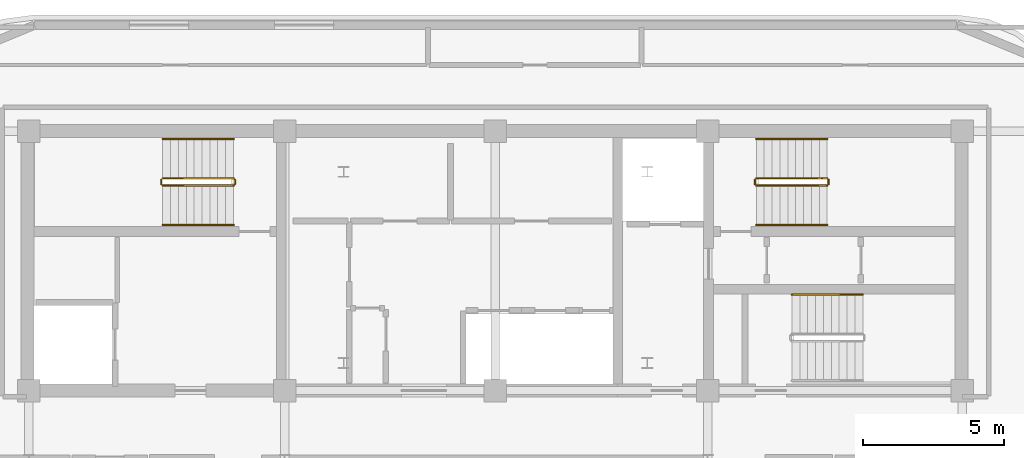
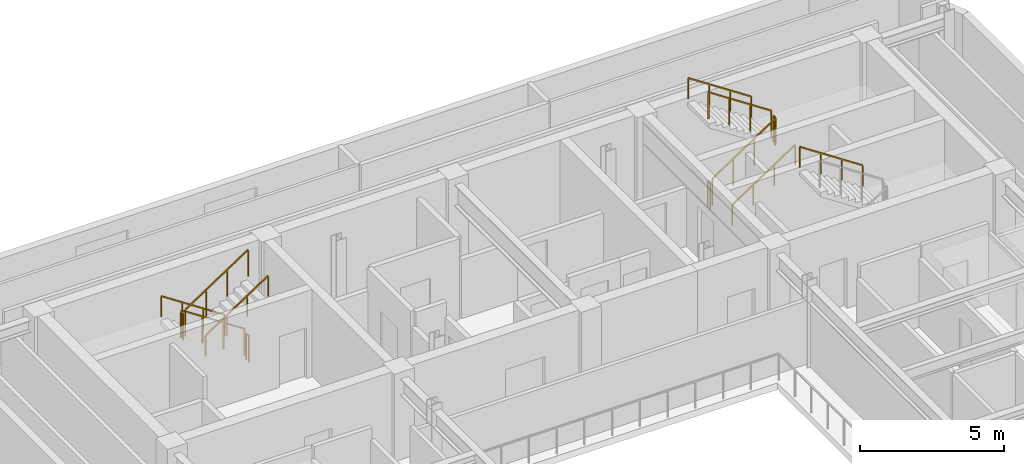
# One storey, part 14 of 14: 13 railings.
"""IFC4 building model written with IfcOpenShell, lengths in metres."""

from ifc_helpers import new_model, si_unit, direction, frame, origin, origin_2d, place, context, subcontext, project, spatial, rectangle, extrude, material, type_object, element, save


model = new_model("IFC4")

# Units and contexts
model_context = context("Model", 3, precision=1e-05, world=origin(), true_north=direction((0.0, 1.0)))
body_context = subcontext(model_context, "Body", "Model", "MODEL_VIEW")
ifc_project = project(units=[si_unit("LENGTHUNIT", "METRE"), si_unit("AREAUNIT", "SQUARE_METRE"), si_unit("VOLUMEUNIT", "CUBIC_METRE"), si_unit("PLANEANGLEUNIT", "RADIAN"), si_unit("MASSUNIT", "GRAM", prefix="KILO")], contexts=[model_context])

# Site, building, storey
site_placement = place(None, origin())
site = spatial("IfcSite", under=ifc_project, at=site_placement, CompositionType="ELEMENT")
building_placement = place(site_placement, origin())
building = spatial("IfcBuilding", under=site, at=building_placement, Name="Zarnavel Station Tower", CompositionType="ELEMENT")
storey_placement = place(building_placement, frame((0.0, 0.0, 251.0)))
storey = spatial("IfcBuildingStorey", under=building, at=storey_placement, Name="L68", CompositionType="ELEMENT", Elevation=251.0)

# Railings
ifc_material_1 = material(Name="Painted Steel S355J2 Balustrade", Category="steel")
railing_type_1 = type_object("IfcRailingType", Name="GR_INT_1150", PredefinedType="GUARDRAIL", material=ifc_material_1)
railing_1_placement = place(storey_placement, frame((19.47998046875, 35.3701171875, 0.18505859375)))
element("IfcRailing", 1, at=railing_1_placement, inside=storey, type_object=railing_type_1, Name="L68 ST1 stair guard 1", PredefinedType="GUARDRAIL", context=body_context, shape_type="SweptSolid", body=[
    extrude(rectangle(XDim=0.048095703125, YDim=0.048095703125, at=origin_2d()), frame((-0.001708984375, 0.0, 1.126953125), z_axis=(-0.834331337432, 0.0, 0.55126329406), x_axis=(0.0, -1.0, 0.0)), (0.0, 0.0, 1.0), 3.016357421875),
    extrude(rectangle(XDim=0.0419921875, YDim=0.0419921875, at=origin_2d()), origin(), (0.0, 0.0, 1.0), 1.101806640625),
    extrude(rectangle(XDim=0.0419921875, YDim=0.0419921875, at=origin_2d()), frame((-0.840087890625, 0.0, 0.554931640625)), (0.0, 0.0, 1.0), 1.101806640625),
    extrude(rectangle(XDim=0.0419921875, YDim=0.0419921875, at=origin_2d()), frame((-1.679931640625, 0.0, 1.110107421875)), (0.0, 0.0, 1.0), 1.101806640625),
    extrude(rectangle(XDim=0.0419921875, YDim=0.0419921875, at=origin_2d()), frame((-2.52001953125, 0.0, 1.6650390625)), (0.0, 0.0, 1.0), 1.101806640625),
])
railing_2_placement = place(storey_placement, frame((16.909912109375, 35.320068359375, 1.85009765625)))
element("IfcRailing", 2, at=railing_2_placement, inside=storey, type_object=railing_type_1, Name="L68 ST1 stair guard 2", PredefinedType="GUARDRAIL", context=body_context, shape_type="SweptSolid", body=[
    extrude(rectangle(XDim=0.048095703125, YDim=0.048095703125, at=origin_2d()), frame((0.0, -0.001953125, 1.1259765625), z_axis=(0.0, -1.0, 0.0), x_axis=(1.0, 0.0, 0.0)), (0.0, 0.0, 1.0), 0.15625),
    extrude(rectangle(XDim=0.0419921875, YDim=0.0419921875, at=origin_2d()), origin(), (0.0, 0.0, 1.0), 1.101806640625),
    extrude(rectangle(XDim=0.0419921875, YDim=0.0419921875, at=origin_2d()), frame((0.0, -0.16015625, 0.0)), (0.0, 0.0, 1.0), 1.101806640625),
])
railing_3_placement = place(storey_placement, frame((16.9599609375, 35.110107421875, 2.034912109375)))
element("IfcRailing", 3, at=railing_3_placement, inside=storey, type_object=railing_type_1, Name="L68 ST1 stair guard 3", PredefinedType="GUARDRAIL", context=body_context, shape_type="SweptSolid", body=[
    extrude(rectangle(XDim=0.048095703125, YDim=0.048095703125, at=origin_2d()), frame((0.001708984375, 0.0, 1.126953125), z_axis=(0.834331337432, 0.0, 0.55126329406), x_axis=(0.0, 1.0, 0.0)), (0.0, 0.0, 1.0), 3.016357421875),
    extrude(rectangle(XDim=0.0419921875, YDim=0.0419921875, at=origin_2d()), origin(), (0.0, 0.0, 1.0), 1.101806640625),
    extrude(rectangle(XDim=0.0419921875, YDim=0.0419921875, at=origin_2d()), frame((0.840087890625, 0.0, 0.554931640625)), (0.0, 0.0, 1.0), 1.101806640625),
    extrude(rectangle(XDim=0.0419921875, YDim=0.0419921875, at=origin_2d()), frame((1.679931640625, 0.0, 1.110107421875)), (0.0, 0.0, 1.0), 1.101806640625),
    extrude(rectangle(XDim=0.0419921875, YDim=0.0419921875, at=origin_2d()), frame((2.52001953125, 0.0, 1.6650390625)), (0.0, 0.0, 1.0), 1.101806640625),
])
railing_4_placement = place(storey_placement, frame((19.530029296875, 35.320068359375, 0.0)))
element("IfcRailing", 4, at=railing_4_placement, inside=storey, type_object=railing_type_1, Name="L68 ST1 stair guard 4", PredefinedType="GUARDRAIL", context=body_context, shape_type="SweptSolid", body=[
    extrude(rectangle(XDim=0.048095703125, YDim=0.048095703125, at=origin_2d()), frame((0.0, -0.001953125, 1.1259765625), z_axis=(0.0, -1.0, 0.0), x_axis=(1.0, 0.0, 0.0)), (0.0, 0.0, 1.0), 0.15625),
    extrude(rectangle(XDim=0.0419921875, YDim=0.0419921875, at=origin_2d()), origin(), (0.0, 0.0, 1.0), 1.101806640625),
    extrude(rectangle(XDim=0.0419921875, YDim=0.0419921875, at=origin_2d()), frame((0.0, -0.16015625, 0.0)), (0.0, 0.0, 1.0), 1.101806640625),
])
railing_5_placement = place(storey_placement, frame((38.080078125, 35.110107421875, 0.18505859375)))
element("IfcRailing", 5, at=railing_5_placement, inside=storey, type_object=railing_type_1, Name="L68 ST2 stair guard 1", PredefinedType="GUARDRAIL", context=body_context, shape_type="SweptSolid", body=[
    extrude(rectangle(XDim=0.048095703125, YDim=0.048095703125, at=origin_2d()), frame((0.001708984375, 0.0, 1.126953125), z_axis=(0.834331337432, 0.0, 0.55126329406), x_axis=(0.0, 1.0, 0.0)), (0.0, 0.0, 1.0), 3.016357421875),
    extrude(rectangle(XDim=0.0419921875, YDim=0.0419921875, at=origin_2d()), origin(), (0.0, 0.0, 1.0), 1.101806640625),
    extrude(rectangle(XDim=0.0419921875, YDim=0.0419921875, at=origin_2d()), frame((0.840087890625, 0.0, 0.554931640625)), (0.0, 0.0, 1.0), 1.101806640625),
    extrude(rectangle(XDim=0.0419921875, YDim=0.0419921875, at=origin_2d()), frame((1.679931640625, 0.0, 1.110107421875)), (0.0, 0.0, 1.0), 1.101806640625),
    extrude(rectangle(XDim=0.0419921875, YDim=0.0419921875, at=origin_2d()), frame((2.52001953125, 0.0, 1.6650390625)), (0.0, 0.0, 1.0), 1.101806640625),
])
railing_6_placement = place(storey_placement, frame((40.64990234375, 35.159912109375, 1.85009765625)))
element("IfcRailing", 6, at=railing_6_placement, inside=storey, type_object=railing_type_1, Name="L68 ST2 stair guard 2", PredefinedType="GUARDRAIL", context=body_context, shape_type="SweptSolid", body=[
    extrude(rectangle(XDim=0.048095703125, YDim=0.048095703125, at=origin_2d()), frame((0.0, 0.001953125, 1.1259765625), z_axis=(0.0, 1.0, 0.0), x_axis=(-1.0, 0.0, 0.0)), (0.0, 0.0, 1.0), 0.15625),
    extrude(rectangle(XDim=0.0419921875, YDim=0.0419921875, at=origin_2d()), origin(), (0.0, 0.0, 1.0), 1.101806640625),
    extrude(rectangle(XDim=0.0419921875, YDim=0.0419921875, at=origin_2d()), frame((0.0, 0.16015625, 0.0)), (0.0, 0.0, 1.0), 1.101806640625),
])
railing_7_placement = place(storey_placement, frame((40.60009765625, 35.3701171875, 2.034912109375)))
element("IfcRailing", 7, at=railing_7_placement, inside=storey, type_object=railing_type_1, Name="L68 ST2 stair guard 3", PredefinedType="GUARDRAIL", context=body_context, shape_type="SweptSolid", body=[
    extrude(rectangle(XDim=0.048095703125, YDim=0.048095703125, at=origin_2d()), frame((-0.001708984375, 0.0, 1.126953125), z_axis=(-0.834331337432, 0.0, 0.55126329406), x_axis=(0.0, -1.0, 0.0)), (0.0, 0.0, 1.0), 3.016357421875),
    extrude(rectangle(XDim=0.0419921875, YDim=0.0419921875, at=origin_2d()), origin(), (0.0, 0.0, 1.0), 1.101806640625),
    extrude(rectangle(XDim=0.0419921875, YDim=0.0419921875, at=origin_2d()), frame((-0.840087890625, 0.0, 0.554931640625)), (0.0, 0.0, 1.0), 1.101806640625),
    extrude(rectangle(XDim=0.0419921875, YDim=0.0419921875, at=origin_2d()), frame((-1.679931640625, 0.0, 1.110107421875)), (0.0, 0.0, 1.0), 1.101806640625),
    extrude(rectangle(XDim=0.0419921875, YDim=0.0419921875, at=origin_2d()), frame((-2.52001953125, 0.0, 1.6650390625)), (0.0, 0.0, 1.0), 1.101806640625),
])
railing_8_placement = place(storey_placement, frame((38.030029296875, 35.159912109375, 0.0)))
element("IfcRailing", 8, at=railing_8_placement, inside=storey, type_object=railing_type_1, Name="L68 ST2 stair guard 4", PredefinedType="GUARDRAIL", context=body_context, shape_type="SweptSolid", body=[
    extrude(rectangle(XDim=0.048095703125, YDim=0.048095703125, at=origin_2d()), frame((0.0, 0.001953125, 1.1259765625), z_axis=(0.0, 1.0, 0.0), x_axis=(-1.0, 0.0, 0.0)), (0.0, 0.0, 1.0), 0.15625),
    extrude(rectangle(XDim=0.0419921875, YDim=0.0419921875, at=origin_2d()), origin(), (0.0, 0.0, 1.0), 1.101806640625),
    extrude(rectangle(XDim=0.0419921875, YDim=0.0419921875, at=origin_2d()), frame((0.0, 0.16015625, 0.0)), (0.0, 0.0, 1.0), 1.101806640625),
])
ifc_material_2 = material(Name="Brushed Stainless Steel S355J2 Handrail", Category="steel")
railing_type_2 = type_object("IfcRailingType", Name="HR_STAIR_900", PredefinedType="HANDRAIL", material=ifc_material_2)
railing_9_placement = place(storey_placement, frame((19.47998046875, 36.77001953125, 0.18505859375)))
element("IfcRailing", 9, at=railing_9_placement, inside=storey, type_object=railing_type_2, Name="L68 ST1 stair handrail 1", PredefinedType="HANDRAIL", context=body_context, shape_type="SweptSolid", body=[
    extrude(rectangle(XDim=0.048095703125, YDim=0.048095703125, at=origin_2d()), frame((-0.001708984375, 0.0, 0.876953125), z_axis=(-0.834331337432, 0.0, 0.55126329406), x_axis=(0.0, -1.0, 0.0)), (0.0, 0.0, 1.0), 3.016357421875),
    extrude(rectangle(XDim=0.0419921875, YDim=0.0419921875, at=origin_2d()), origin(), (0.0, 0.0, 1.0), 0.851806640625),
    extrude(rectangle(XDim=0.0419921875, YDim=0.0419921875, at=origin_2d()), frame((-0.840087890625, 0.0, 0.554931640625)), (0.0, 0.0, 1.0), 0.851806640625),
    extrude(rectangle(XDim=0.0419921875, YDim=0.0419921875, at=origin_2d()), frame((-1.679931640625, 0.0, 1.110107421875)), (0.0, 0.0, 1.0), 0.851806640625),
    extrude(rectangle(XDim=0.0419921875, YDim=0.0419921875, at=origin_2d()), frame((-2.52001953125, 0.0, 1.6650390625)), (0.0, 0.0, 1.0), 0.851806640625),
])
for number, where, name in (
    (10, (16.9599609375, 33.7099609375, 2.034912109375), "L68 ST1 stair handrail 2"),
    (11, (38.080078125, 33.7099609375, 0.18505859375), "L68 ST2 stair handrail 1"),
):
    element("IfcRailing", number, at=place(storey_placement, frame(where)), inside=storey, type_object=railing_type_2, Name=name, PredefinedType="HANDRAIL", context=body_context, shape_type="SweptSolid", body=[
        extrude(rectangle(XDim=0.048095703125, YDim=0.048095703125, at=origin_2d()), frame((0.001708984375, 0.0, 0.876953125), z_axis=(0.834331337432, 0.0, 0.55126329406), x_axis=(0.0, 1.0, 0.0)), (0.0, 0.0, 1.0), 3.016357421875),
        extrude(rectangle(XDim=0.0419921875, YDim=0.0419921875, at=origin_2d()), origin(), (0.0, 0.0, 1.0), 0.851806640625),
        extrude(rectangle(XDim=0.0419921875, YDim=0.0419921875, at=origin_2d()), frame((0.840087890625, 0.0, 0.554931640625)), (0.0, 0.0, 1.0), 0.851806640625),
        extrude(rectangle(XDim=0.0419921875, YDim=0.0419921875, at=origin_2d()), frame((1.679931640625, 0.0, 1.110107421875)), (0.0, 0.0, 1.0), 0.851806640625),
        extrude(rectangle(XDim=0.0419921875, YDim=0.0419921875, at=origin_2d()), frame((2.52001953125, 0.0, 1.6650390625)), (0.0, 0.0, 1.0), 0.851806640625),
    ])
for number, where, name in (
    (12, (40.60009765625, 36.77001953125, 2.034912109375), "L68 ST2 stair handrail 2"),
    (13, (41.8701171875, 31.22998046875, 2.034912109375), "L68 ST3 stair handrail 2"),
):
    element("IfcRailing", number, at=place(storey_placement, frame(where)), inside=storey, type_object=railing_type_2, Name=name, PredefinedType="HANDRAIL", context=body_context, shape_type="SweptSolid", body=[
        extrude(rectangle(XDim=0.048095703125, YDim=0.048095703125, at=origin_2d()), frame((-0.001708984375, 0.0, 0.876953125), z_axis=(-0.834331337432, 0.0, 0.55126329406), x_axis=(0.0, -1.0, 0.0)), (0.0, 0.0, 1.0), 3.016357421875),
        extrude(rectangle(XDim=0.0419921875, YDim=0.0419921875, at=origin_2d()), origin(), (0.0, 0.0, 1.0), 0.851806640625),
        extrude(rectangle(XDim=0.0419921875, YDim=0.0419921875, at=origin_2d()), frame((-0.840087890625, 0.0, 0.554931640625)), (0.0, 0.0, 1.0), 0.851806640625),
        extrude(rectangle(XDim=0.0419921875, YDim=0.0419921875, at=origin_2d()), frame((-1.679931640625, 0.0, 1.110107421875)), (0.0, 0.0, 1.0), 0.851806640625),
        extrude(rectangle(XDim=0.0419921875, YDim=0.0419921875, at=origin_2d()), frame((-2.52001953125, 0.0, 1.6650390625)), (0.0, 0.0, 1.0), 0.851806640625),
    ])

save(model, "model.ifc")
